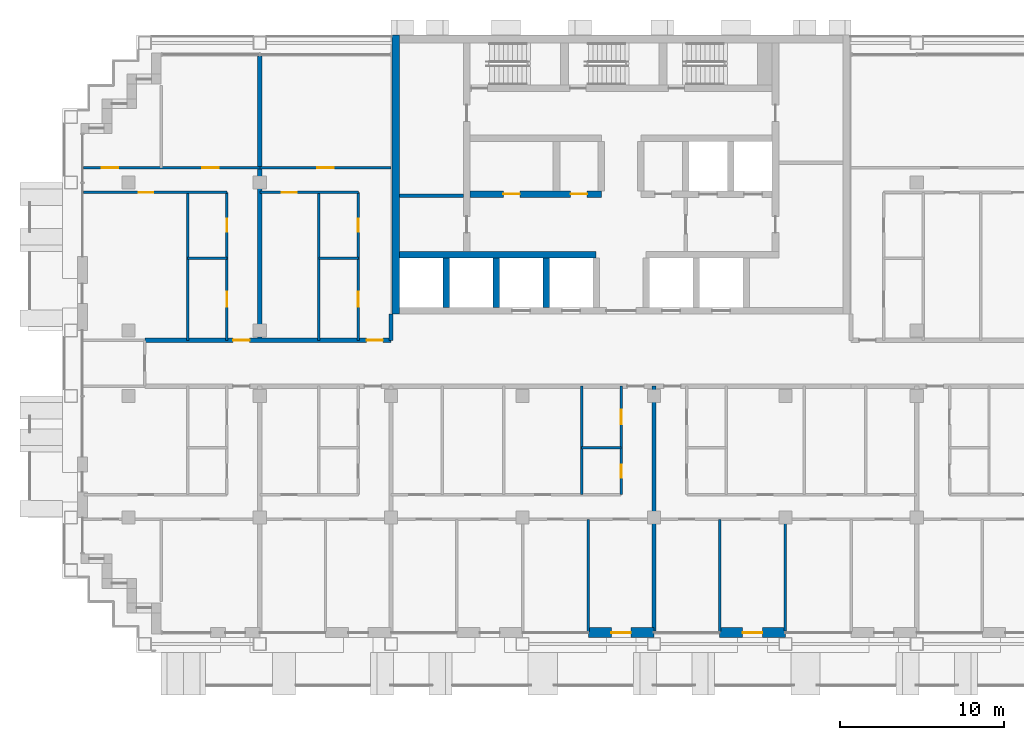
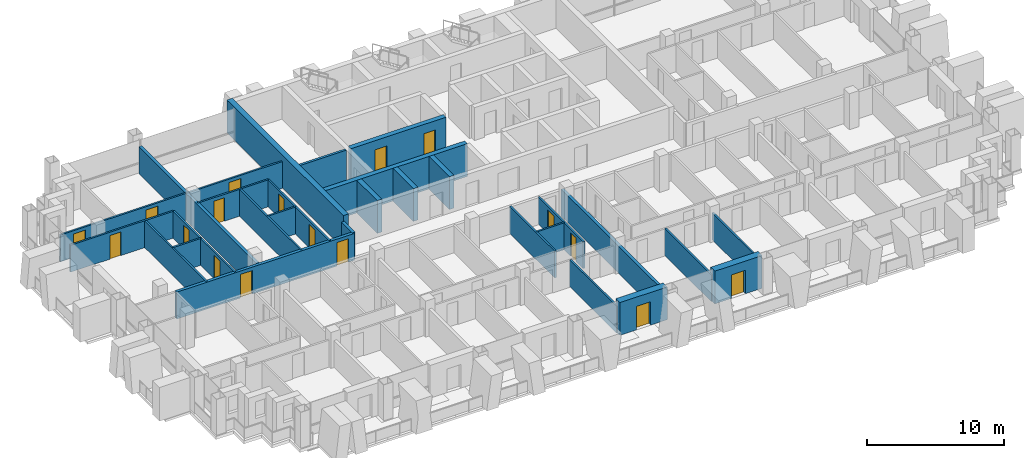
# One storey, part 9 of 17: 29 walls, 17 doors, 17 openings.
"""IFC4 building model written with IfcOpenShell, lengths in metres."""

from ifc_helpers import new_model, si_unit, direction, frame, frame_2d, origin, place, context, subcontext, project, spatial, rectangle, extrude, material, layer, layer_set, type_object, element, fill, save


model = new_model("IFC4")

# Units and contexts
model_context = context("Model", 3, precision=1e-05, world=origin(), true_north=direction((0.0, 1.0)))
body_context = subcontext(model_context, "Body", "Model", "MODEL_VIEW")
ifc_project = project(units=[si_unit("LENGTHUNIT", "METRE"), si_unit("AREAUNIT", "SQUARE_METRE"), si_unit("VOLUMEUNIT", "CUBIC_METRE"), si_unit("PLANEANGLEUNIT", "RADIAN"), si_unit("MASSUNIT", "GRAM", prefix="KILO")], contexts=[model_context])

# Site, building, storey
site_placement = place(None, origin())
site = spatial("IfcSite", under=ifc_project, at=site_placement, CompositionType="ELEMENT")
building_placement = place(site_placement, origin())
building = spatial("IfcBuilding", under=site, at=building_placement, Name="Vidyagriha Tower", CompositionType="ELEMENT")
storey_placement = place(building_placement, frame((0.0, 0.0, 119.800048828125)))
storey = spatial("IfcBuildingStorey", under=building, at=storey_placement, Name="L30", CompositionType="ELEMENT", Elevation=119.800048828125)

# Wall, opening, door
ifc_material_1 = material(Name="Precast concrete C40/50 with brick facing", Category="concrete")
ifc_layer_1 = layer(ifc_material_1, 0.60009765625)
ifc_layer_set_1 = layer_set([ifc_layer_1], Name="Precast concrete C40/50 with brick facing")
wall_type_1 = type_object("IfcWallType", Name="Brick-faced precast wall 600", PredefinedType="STANDARD", material=ifc_layer_set_1)
wall_1_placement = place(storey_placement, frame((-2.0, -16.39990234375, 0.0)))
wall_1 = element("IfcWall", 1, at=wall_1_placement, inside=storey, type_object=wall_type_1, Name="Brick door bay wall L30 R23.8", PredefinedType="STANDARD", context=body_context, shape_type="SweptSolid", body=[
    extrude(rectangle(XDim=4.0, YDim=0.60009765625, at=frame_2d((2.0, 0.0))), origin(), (0.0, 0.0, 1.0), 2.919921875),
])
opening_1_placement = place(wall_1_placement, frame((1.39990234375, 0.0, 0.0)))
opening_1 = element("IfcOpeningElement", 2, at=opening_1_placement, cuts=wall_1, Name="Opening D30-79", PredefinedType="OPENING", context=body_context, shape_type="SweptSolid", body=[
    extrude(rectangle(XDim=1.199951171875, YDim=2.10009765625, at=frame_2d((0.60009765625, 1.050048828125))), frame((0.0, 0.31005859375, 0.0), z_axis=(0.0, -1.0, 0.0), x_axis=(1.0, 0.0, 0.0)), (0.0, 0.0, 1.0), 0.6201171875),
])
ifc_material_2 = material(Name="Aluminium framed glazed sliding door", Category="aluminium")
door_type_1 = type_object("IfcDoorType", Name="Balcony sliding door 1200x2100", OperationType="NOTDEFINED", PredefinedType="DOOR", material=ifc_material_2)
door_1_placement = place(opening_1_placement, origin())
door_1 = element("IfcDoor", 3, at=door_1_placement, inside=storey, type_object=door_type_1, Name="Door D30-79", OperationType="SLIDING_TO_LEFT", OverallHeight=2.10009765625, OverallWidth=1.199951171875, PredefinedType="DOOR", context=body_context, shape_type="SweptSolid", body=[
    extrude(rectangle(XDim=1.199951171875, YDim=2.10009765625, at=frame_2d((0.60009765625, 1.050048828125))), frame((0.0, 0.02490234375, 0.0), z_axis=(0.0, -1.0, 0.0), x_axis=(1.0, 0.0, 0.0)), (0.0, 0.0, 1.0), 0.050048828125),
])
fill(opening_1, door_1)

wall_2_placement = place(storey_placement, frame((6.0, -16.39990234375, 0.0)))
wall_2 = element("IfcWall", 4, at=wall_2_placement, inside=storey, type_object=wall_type_1, Name="Brick door bay wall L30 R23.10", PredefinedType="STANDARD", context=body_context, shape_type="SweptSolid", body=[
    extrude(rectangle(XDim=4.0, YDim=0.60009765625, at=frame_2d((2.0, 0.0))), origin(), (0.0, 0.0, 1.0), 2.919921875),
])
opening_2_placement = place(wall_2_placement, frame((1.39990234375, 0.0, 0.0)))
opening_2 = element("IfcOpeningElement", 5, at=opening_2_placement, cuts=wall_2, Name="Opening D30-80", PredefinedType="OPENING", context=body_context, shape_type="SweptSolid", body=[
    extrude(rectangle(XDim=1.199951171875, YDim=2.10009765625, at=frame_2d((0.60009765625, 1.050048828125))), frame((0.0, 0.31005859375, 0.0), z_axis=(0.0, -1.0, 0.0), x_axis=(1.0, 0.0, 0.0)), (0.0, 0.0, 1.0), 0.6201171875),
])
door_2_placement = place(opening_2_placement, origin())
door_2 = element("IfcDoor", 6, at=door_2_placement, inside=storey, type_object=door_type_1, Name="Door D30-80", OperationType="SLIDING_TO_LEFT", OverallHeight=2.10009765625, OverallWidth=1.199951171875, PredefinedType="DOOR", context=body_context, shape_type="SweptSolid", body=[
    extrude(rectangle(XDim=1.199951171875, YDim=2.10009765625, at=frame_2d((0.60009765625, 1.050048828125))), frame((0.0, 0.02490234375, 0.0), z_axis=(0.0, -1.0, 0.0), x_axis=(1.0, 0.0, 0.0)), (0.0, 0.0, 1.0), 0.050048828125),
])
fill(opening_2, door_2)

# Walls
ifc_material_3 = material(Name="Concrete C60/75", Category="concrete")
ifc_layer_2 = layer(ifc_material_3, 0.39990234375)
ifc_layer_set_2 = layer_set([ifc_layer_2], Name="Concrete C60/75")
wall_type_2 = type_object("IfcWallType", Name="Core shear wall 400 mm", PredefinedType="SHEAR", material=ifc_layer_set_2)
wall_3_placement = place(storey_placement, frame((-13.5, 6.60009765625, 0.0)))
element("IfcWall", 7, at=wall_3_placement, inside=storey, type_object=wall_type_2, Name="Core lobby south wall west", PredefinedType="SHEAR", context=body_context, shape_type="SweptSolid", body=[
    extrude(rectangle(XDim=11.977783203125, YDim=0.39990234375, at=frame_2d((5.98876953125, 0.0))), origin(), (0.0, 0.0, 1.0), 2.919921875),
])
for number, where, z_axis, x_axis, name in (
    (8, (-10.655517578125, 3.39990234375, 0.0), (0.0, 0.0, 1.0), (0.0, 1.0, 0.0), "Core bay wall S1"),
    (9, (-7.611083984375, 3.39990234375, 0.0), (0.0, 0.0, 1.0), (0.0, 1.0, 0.0), "Core bay wall S2"),
    (10, (-4.566650390625, 3.39990234375, 0.0), (0.0, 0.0, 1.0), (0.0, 1.0, 0.0), "Core bay wall S3"),
):
    element("IfcWall", number, at=place(storey_placement, frame(where, z_axis=z_axis, x_axis=x_axis)), inside=storey, type_object=wall_type_2, Name=name, PredefinedType="SHEAR", context=body_context, shape_type="SweptSolid", body=[
        extrude(rectangle(XDim=3.0, YDim=0.39990234375, at=frame_2d((1.5, 0.0))), origin(), (0.0, 0.0, 1.0), 2.919921875),
    ])

# Wall, openings, doors
wall_4_placement = place(storey_placement, frame((-9.199951171875, 10.300048828125, 0.0)))
wall_4 = element("IfcWall", 11, at=wall_4_placement, inside=storey, type_object=wall_type_2, Name="Core row N front wall", PredefinedType="SHEAR", context=body_context, shape_type="SweptSolid", body=[
    extrude(rectangle(XDim=8.0, YDim=0.39990234375, at=frame_2d((4.0, 0.0))), origin(), (0.0, 0.0, 1.0), 2.919921875),
])
opening_3_placement = place(wall_4_placement, frame((2.033203125, 0.0, 0.0)))
opening_3 = element("IfcOpeningElement", 12, at=opening_3_placement, cuts=wall_4, Name="Opening D30-02", PredefinedType="OPENING", context=body_context, shape_type="SweptSolid", body=[
    extrude(rectangle(XDim=1.0, YDim=2.10009765625, at=frame_2d((0.5, 1.050048828125))), frame((0.0, 0.2099609375, 0.0), z_axis=(0.0, -1.0, 0.0), x_axis=(1.0, 0.0, 0.0)), (0.0, 0.0, 1.0), 0.419921875),
])
opening_4_placement = place(wall_4_placement, frame((6.13330078125, 0.0, 0.0)))
opening_4 = element("IfcOpeningElement", 13, at=opening_4_placement, cuts=wall_4, Name="Opening D30-03", PredefinedType="OPENING", context=body_context, shape_type="SweptSolid", body=[
    extrude(rectangle(XDim=1.0, YDim=2.10009765625, at=frame_2d((0.5, 1.050048828125))), frame((0.0, 0.2099609375, 0.0), z_axis=(0.0, -1.0, 0.0), x_axis=(1.0, 0.0, 0.0)), (0.0, 0.0, 1.0), 0.419921875),
])
ifc_material_4 = material(Name="Hollow metal door leaf")
door_type_2 = type_object("IfcDoorType", Name="Core room door 1000 x 2100 mm EI 60", OperationType="NOTDEFINED", PredefinedType="DOOR", material=ifc_material_4)
door_3_placement = place(opening_3_placement, frame((1.0, 0.0, 0.0), z_axis=(0.0, 0.0, 1.0), x_axis=(-1.0, 0.0, 0.0)))
door_3 = element("IfcDoor", 14, at=door_3_placement, inside=storey, type_object=door_type_2, Name="Door Cleaners Store 30.14", OperationType="SINGLE_SWING_RIGHT", OverallHeight=2.10009765625, OverallWidth=1.0, PredefinedType="DOOR", context=body_context, shape_type="SweptSolid", body=[
    extrude(rectangle(XDim=1.0, YDim=2.10009765625, at=frame_2d((0.5, 1.050048828125))), frame((0.0, 0.02490234375, 0.0), z_axis=(0.0, -1.0, 0.0), x_axis=(1.0, 0.0, 0.0)), (0.0, 0.0, 1.0), 0.050048828125),
])
fill(opening_3, door_3)
door_4_placement = place(opening_4_placement, frame((1.0, 0.0, 0.0), z_axis=(0.0, 0.0, 1.0), x_axis=(-1.0, 0.0, 0.0)))
door_4 = element("IfcDoor", 15, at=door_4_placement, inside=storey, type_object=door_type_2, Name="Door Riser Room 30.15", OperationType="SINGLE_SWING_LEFT", OverallHeight=2.10009765625, OverallWidth=1.0, PredefinedType="DOOR", context=body_context, shape_type="SweptSolid", body=[
    extrude(rectangle(XDim=1.0, YDim=2.10009765625, at=frame_2d((0.5, 1.050048828125))), frame((0.0, 0.02490234375, 0.0), z_axis=(0.0, -1.0, 0.0), x_axis=(1.0, 0.0, 0.0)), (0.0, 0.0, 1.0), 0.050048828125),
])
fill(opening_4, door_4)

# Wall
ifc_material_5 = material(Name="Concrete C60/75", Category="concrete")
ifc_layer_3 = layer(ifc_material_5, 0.449951171875)
ifc_layer_set_3 = layer_set([ifc_layer_3], Name="Concrete C60/75")
wall_type_3 = type_object("IfcWallType", Name="Core shear wall 450 mm", PredefinedType="SHEAR", material=ifc_layer_set_3)
wall_5_placement = place(storey_placement, frame((-13.72509765625, 3.0, 0.0), z_axis=(0.0, 0.0, 1.0), x_axis=(0.0, 1.0, 0.0)))
element("IfcWall", 16, at=wall_5_placement, inside=storey, type_object=wall_type_3, Name="Core west wall", PredefinedType="SHEAR", context=body_context, shape_type="SweptSolid", body=[
    extrude(rectangle(XDim=17.0, YDim=0.449951171875, at=frame_2d((8.5, 0.0))), origin(), (0.0, 0.0, 1.0), 2.919921875),
])

# Wall, openings, doors
ifc_material_6 = material(Name="Fired clay brick masonry", Category="masonry")
ifc_layer_4 = layer(ifc_material_6, 0.25)
ifc_layer_set_4 = layer_set([ifc_layer_4], Name="Fired clay brick masonry")
wall_type_4 = type_object("IfcWallType", Name="Fired clay brick corridor wall 250", PredefinedType="PARTITIONING", material=ifc_layer_set_4)
wall_6_placement = place(storey_placement, frame((-29.0, 1.39990234375, 0.0)))
wall_6 = element("IfcWall", 17, at=wall_6_placement, inside=storey, type_object=wall_type_4, Name="Wall all-L30-w112", PredefinedType="PARTITIONING", context=body_context, shape_type="SweptSolid", body=[
    extrude(rectangle(XDim=15.0, YDim=0.25, at=frame_2d((7.5, 0.0))), origin(), (0.0, 0.0, 1.0), 2.39990234375),
])
opening_5_placement = place(wall_6_placement, frame((5.382080078125, 0.0, 0.0)))
opening_5 = element("IfcOpeningElement", 18, at=opening_5_placement, cuts=wall_6, Name="Opening D30-58", PredefinedType="OPENING", context=body_context, shape_type="SweptSolid", body=[
    extrude(rectangle(XDim=1.0, YDim=2.10009765625, at=frame_2d((0.5, 1.050048828125))), frame((0.0, 0.135009765625, 0.0), z_axis=(0.0, -1.0, 0.0), x_axis=(1.0, 0.0, 0.0)), (0.0, 0.0, 1.0), 0.27001953125),
])
opening_6_placement = place(wall_6_placement, frame((13.5, 0.0, 0.0)))
opening_6 = element("IfcOpeningElement", 19, at=opening_6_placement, cuts=wall_6, Name="Opening D30-63", PredefinedType="OPENING", context=body_context, shape_type="SweptSolid", body=[
    extrude(rectangle(XDim=1.0, YDim=2.10009765625, at=frame_2d((0.5, 1.050048828125))), frame((0.0, 0.135009765625, 0.0), z_axis=(0.0, -1.0, 0.0), x_axis=(1.0, 0.0, 0.0)), (0.0, 0.0, 1.0), 0.27001953125),
])
ifc_material_7 = material(Name="Fire-rated timber door leaf EI 60", Category="wood")
door_type_3 = type_object("IfcDoorType", Name="Flat entrance fire door 1000x2100", OperationType="NOTDEFINED", PredefinedType="DOOR", material=ifc_material_7)
door_5_placement = place(opening_5_placement, origin())
door_5 = element("IfcDoor", 20, at=door_5_placement, inside=storey, type_object=door_type_3, Name="Door D30-58", OperationType="SINGLE_SWING_RIGHT", OverallHeight=2.10009765625, OverallWidth=1.0, PredefinedType="DOOR", context=body_context, shape_type="SweptSolid", body=[
    extrude(rectangle(XDim=1.0, YDim=2.10009765625, at=frame_2d((0.5, 1.050048828125))), frame((0.0, 0.02490234375, 0.0), z_axis=(0.0, -1.0, 0.0), x_axis=(1.0, 0.0, 0.0)), (0.0, 0.0, 1.0), 0.050048828125),
])
fill(opening_5, door_5)
door_6_placement = place(opening_6_placement, origin())
door_6 = element("IfcDoor", 21, at=door_6_placement, inside=storey, type_object=door_type_3, Name="Door D30-63", OperationType="SINGLE_SWING_RIGHT", OverallHeight=2.10009765625, OverallWidth=1.0, PredefinedType="DOOR", context=body_context, shape_type="SweptSolid", body=[
    extrude(rectangle(XDim=1.0, YDim=2.10009765625, at=frame_2d((0.5, 1.050048828125))), frame((0.0, 0.02490234375, 0.0), z_axis=(0.0, -1.0, 0.0), x_axis=(1.0, 0.0, 0.0)), (0.0, 0.0, 1.0), 0.050048828125),
])
fill(opening_6, door_6)

# Walls
wall_7_placement = place(storey_placement, frame((-14.0, 3.0, 0.0), z_axis=(0.0, 0.0, 1.0), x_axis=(0.0, -1.0, 0.0)))
element("IfcWall", 22, at=wall_7_placement, inside=storey, type_object=wall_type_4, Name="Wall all-L30-w137", PredefinedType="PARTITIONING", context=body_context, shape_type="SweptSolid", body=[
    extrude(rectangle(XDim=1.60009765625, YDim=0.25, at=frame_2d((0.800048828125, 0.0))), origin(), (0.0, 0.0, 1.0), 2.39990234375),
])
ifc_material_8 = material(Name="Fired clay brick masonry", Category="masonry")
ifc_layer_5 = layer(ifc_material_8, 0.25)
ifc_layer_set_5 = layer_set([ifc_layer_5], Name="Fired clay brick masonry")
wall_type_5 = type_object("IfcWallType", Name="Fired clay brick demising wall 250", PredefinedType="PARTITIONING", material=ifc_layer_set_5)
wall_8_placement = place(storey_placement, frame((2.0, -1.39990234375, 0.0), z_axis=(0.0, 0.0, 1.0), x_axis=(0.0, -1.0, 0.0)))
element("IfcWall", 23, at=wall_8_placement, inside=storey, type_object=wall_type_5, Name="Wall all-L30-w067", PredefinedType="PARTITIONING", context=body_context, shape_type="SweptSolid", body=[
    extrude(rectangle(XDim=14.91015625, YDim=0.25, at=frame_2d((7.455078125, 0.0))), origin(), (0.0, 0.0, 1.0), 2.39990234375),
])
wall_9_placement = place(storey_placement, frame((-22.0, 18.720947265625, 0.0), z_axis=(0.0, 0.0, 1.0), x_axis=(0.0, -1.0, 0.0)))
element("IfcWall", 24, at=wall_9_placement, inside=storey, type_object=wall_type_5, Name="Wall all-L30-w111", PredefinedType="PARTITIONING", context=body_context, shape_type="SweptSolid", body=[
    extrude(rectangle(XDim=17.321044921875, YDim=0.25, at=frame_2d((8.66064453125, 0.0))), origin(), (0.0, 0.0, 1.0), 2.39990234375),
])
ifc_material_9 = material(Name="Gypsum board partition")
ifc_layer_6 = layer(ifc_material_9, 0.14990234375)
ifc_layer_set_6 = layer_set([ifc_layer_6], Name="Gypsum board partition")
wall_type_6 = type_object("IfcWallType", Name="Gypsum board partition 150", PredefinedType="PARTITIONING", material=ifc_layer_set_6)
wall_10_placement = place(storey_placement, frame((0.0, -5.14990234375, 0.0), z_axis=(0.0, 0.0, 1.0), x_axis=(-1.0, 0.0, 0.0)))
element("IfcWall", 25, at=wall_10_placement, inside=storey, type_object=wall_type_6, Name="Wall all-L30-w029", PredefinedType="PARTITIONING", context=body_context, shape_type="SweptSolid", body=[
    extrude(rectangle(XDim=2.39990234375, YDim=0.14990234375, at=frame_2d((1.199951171875, 0.0))), origin(), (0.0, 0.0, 1.0), 2.39990234375),
])
wall_11_placement = place(storey_placement, frame((-2.39990234375, -8.0, 0.0), z_axis=(0.0, 0.0, 1.0), x_axis=(0.0, 1.0, 0.0)))
element("IfcWall", 26, at=wall_11_placement, inside=storey, type_object=wall_type_6, Name="Wall all-L30-w030", PredefinedType="PARTITIONING", context=body_context, shape_type="SweptSolid", body=[
    extrude(rectangle(XDim=6.60009765625, YDim=0.14990234375, at=frame_2d((3.300048828125, 0.0))), origin(), (0.0, 0.0, 1.0), 2.39990234375),
])
for number, where, z_axis, x_axis, name in (
    (27, (-2.0, -9.5, 0.0), (0.0, 0.0, 1.0), (0.0, -1.0, 0.0), "Wall all-L30-w044"),
    (28, (6.0, -9.5, 0.0), (0.0, 0.0, 1.0), (0.0, -1.0, 0.0), "Wall all-L30-w063"),
):
    element("IfcWall", number, at=place(storey_placement, frame(where, z_axis=z_axis, x_axis=x_axis)), inside=storey, type_object=wall_type_6, Name=name, PredefinedType="PARTITIONING", context=body_context, shape_type="SweptSolid", body=[
        extrude(rectangle(XDim=6.821044921875, YDim=0.14990234375, at=frame_2d((3.41064453125, 0.0))), origin(), (0.0, 0.0, 1.0), 2.39990234375),
    ])
wall_12_placement = place(storey_placement, frame((10.0, -9.5, 0.0), z_axis=(0.0, 0.0, 1.0), x_axis=(0.0, -1.0, 0.0)))
element("IfcWall", 29, at=wall_12_placement, inside=storey, type_object=wall_type_6, Name="Wall all-L30-w064", PredefinedType="PARTITIONING", context=body_context, shape_type="SweptSolid", body=[
    extrude(rectangle(XDim=6.81005859375, YDim=0.14990234375, at=frame_2d((3.405029296875, 0.0))), origin(), (0.0, 0.0, 1.0), 2.39990234375),
])
wall_13_placement = place(storey_placement, frame((-26.39990234375, 6.39990234375, 0.0)))
element("IfcWall", 30, at=wall_13_placement, inside=storey, type_object=wall_type_6, Name="Wall all-L30-w092", PredefinedType="PARTITIONING", context=body_context, shape_type="SweptSolid", body=[
    extrude(rectangle(XDim=2.39990234375, YDim=0.14990234375, at=frame_2d((1.199951171875, 0.0))), origin(), (0.0, 0.0, 1.0), 2.39990234375),
])
wall_14_placement = place(storey_placement, frame((-26.39990234375, 1.39990234375, 0.0), z_axis=(0.0, 0.0, 1.0), x_axis=(0.0, 1.0, 0.0)))
element("IfcWall", 31, at=wall_14_placement, inside=storey, type_object=wall_type_6, Name="Wall all-L30-w093", PredefinedType="PARTITIONING", context=body_context, shape_type="SweptSolid", body=[
    extrude(rectangle(XDim=9.0, YDim=0.14990234375, at=frame_2d((4.5, 0.0))), origin(), (0.0, 0.0, 1.0), 2.39990234375),
])

# Wall, opening, door
wall_15_placement = place(storey_placement, frame((-24.0, 10.39990234375, 0.0), z_axis=(0.0, 0.0, 1.0), x_axis=(-1.0, 0.0, 0.0)))
wall_15 = element("IfcWall", 32, at=wall_15_placement, inside=storey, type_object=wall_type_6, Name="Wall all-L30-w094", PredefinedType="PARTITIONING", context=body_context, shape_type="SweptSolid", body=[
    extrude(rectangle(XDim=8.719970703125, YDim=0.14990234375, at=frame_2d((4.35986328125, 0.0))), origin(), (0.0, 0.0, 1.0), 2.39990234375),
])
opening_7_placement = place(wall_15_placement, frame((4.48193359375, 0.0, 0.0)))
opening_7 = element("IfcOpeningElement", 33, at=opening_7_placement, cuts=wall_15, Name="Opening D30-55", PredefinedType="OPENING", context=body_context, shape_type="SweptSolid", body=[
    extrude(rectangle(XDim=0.89990234375, YDim=2.10009765625, at=frame_2d((0.449951171875, 1.050048828125))), frame((0.0, 0.0849609375, 0.0), z_axis=(0.0, -1.0, 0.0), x_axis=(1.0, 0.0, 0.0)), (0.0, 0.0, 1.0), 0.169921875),
])
ifc_material_10 = material(Name="Timber door leaf", Category="wood")
door_type_4 = type_object("IfcDoorType", Name="Room door 900x2100", OperationType="NOTDEFINED", PredefinedType="DOOR", material=ifc_material_10)
door_7_placement = place(opening_7_placement, origin())
door_7 = element("IfcDoor", 34, at=door_7_placement, inside=storey, type_object=door_type_4, Name="Door D30-55", OperationType="SINGLE_SWING_LEFT", OverallHeight=2.10009765625, OverallWidth=0.89990234375, PredefinedType="DOOR", context=body_context, shape_type="SweptSolid", body=[
    extrude(rectangle(XDim=0.89990234375, YDim=2.10009765625, at=frame_2d((0.449951171875, 1.050048828125))), frame((0.0, 0.02490234375, 0.0), z_axis=(0.0, -1.0, 0.0), x_axis=(1.0, 0.0, 0.0)), (0.0, 0.0, 1.0), 0.050048828125),
])
fill(opening_7, door_7)

# Wall, openings, doors
wall_16_placement = place(storey_placement, frame((-32.719970703125, 11.89990234375, 0.0)))
wall_16 = element("IfcWall", 35, at=wall_16_placement, inside=storey, type_object=wall_type_6, Name="Wall all-L30-w096", PredefinedType="PARTITIONING", context=body_context, shape_type="SweptSolid", body=[
    extrude(rectangle(XDim=10.719970703125, YDim=0.14990234375, at=frame_2d((5.35986328125, 0.0))), origin(), (0.0, 0.0, 1.0), 2.39990234375),
])
opening_8_placement = place(wall_16_placement, frame((1.10205078125, 0.0, 0.0)))
opening_8 = element("IfcOpeningElement", 36, at=opening_8_placement, cuts=wall_16, Name="Opening D30-56", PredefinedType="OPENING", context=body_context, shape_type="SweptSolid", body=[
    extrude(rectangle(XDim=1.0, YDim=2.10009765625, at=frame_2d((0.5, 1.050048828125))), frame((0.0, 0.0849609375, 0.0), z_axis=(0.0, -1.0, 0.0), x_axis=(1.0, 0.0, 0.0)), (0.0, 0.0, 1.0), 0.169921875),
])
opening_9_placement = place(wall_16_placement, frame((7.219970703125, 0.0, 0.0)))
opening_9 = element("IfcOpeningElement", 37, at=opening_9_placement, cuts=wall_16, Name="Opening D30-57", PredefinedType="OPENING", context=body_context, shape_type="SweptSolid", body=[
    extrude(rectangle(XDim=1.0, YDim=2.10009765625, at=frame_2d((0.5, 1.050048828125))), frame((0.0, 0.0849609375, 0.0), z_axis=(0.0, -1.0, 0.0), x_axis=(1.0, 0.0, 0.0)), (0.0, 0.0, 1.0), 0.169921875),
])
ifc_material_11 = material(Name="Timber door leaf", Category="wood")
door_type_5 = type_object("IfcDoorType", Name="Room door 1000x2100", OperationType="NOTDEFINED", PredefinedType="DOOR", material=ifc_material_11)
door_8_placement = place(opening_8_placement, origin())
door_8 = element("IfcDoor", 38, at=door_8_placement, inside=storey, type_object=door_type_5, Name="Door D30-56", OperationType="SINGLE_SWING_LEFT", OverallHeight=2.10009765625, OverallWidth=1.0, PredefinedType="DOOR", context=body_context, shape_type="SweptSolid", body=[
    extrude(rectangle(XDim=1.0, YDim=2.10009765625, at=frame_2d((0.5, 1.050048828125))), frame((0.0, 0.02490234375, 0.0), z_axis=(0.0, -1.0, 0.0), x_axis=(1.0, 0.0, 0.0)), (0.0, 0.0, 1.0), 0.050048828125),
])
fill(opening_8, door_8)
door_9_placement = place(opening_9_placement, origin())
door_9 = element("IfcDoor", 39, at=door_9_placement, inside=storey, type_object=door_type_5, Name="Door D30-57", OperationType="SINGLE_SWING_RIGHT", OverallHeight=2.10009765625, OverallWidth=1.0, PredefinedType="DOOR", context=body_context, shape_type="SweptSolid", body=[
    extrude(rectangle(XDim=1.0, YDim=2.10009765625, at=frame_2d((0.5, 1.050048828125))), frame((0.0, 0.02490234375, 0.0), z_axis=(0.0, -1.0, 0.0), x_axis=(1.0, 0.0, 0.0)), (0.0, 0.0, 1.0), 0.050048828125),
])
fill(opening_9, door_9)

# Walls
wall_17_placement = place(storey_placement, frame((-18.39990234375, 6.39990234375, 0.0)))
element("IfcWall", 40, at=wall_17_placement, inside=storey, type_object=wall_type_6, Name="Wall all-L30-w104", PredefinedType="PARTITIONING", context=body_context, shape_type="SweptSolid", body=[
    extrude(rectangle(XDim=2.39990234375, YDim=0.14990234375, at=frame_2d((1.199951171875, 0.0))), origin(), (0.0, 0.0, 1.0), 2.39990234375),
])
wall_18_placement = place(storey_placement, frame((-18.39990234375, 1.39990234375, 0.0), z_axis=(0.0, 0.0, 1.0), x_axis=(0.0, 1.0, 0.0)))
element("IfcWall", 41, at=wall_18_placement, inside=storey, type_object=wall_type_6, Name="Wall all-L30-w105", PredefinedType="PARTITIONING", context=body_context, shape_type="SweptSolid", body=[
    extrude(rectangle(XDim=9.0, YDim=0.14990234375, at=frame_2d((4.5, 0.0))), origin(), (0.0, 0.0, 1.0), 2.39990234375),
])

# Wall, opening, door
wall_19_placement = place(storey_placement, frame((-16.0, 10.39990234375, 0.0), z_axis=(0.0, 0.0, 1.0), x_axis=(-1.0, 0.0, 0.0)))
wall_19 = element("IfcWall", 42, at=wall_19_placement, inside=storey, type_object=wall_type_6, Name="Wall all-L30-w106", PredefinedType="PARTITIONING", context=body_context, shape_type="SweptSolid", body=[
    extrude(rectangle(XDim=6.0, YDim=0.14990234375, at=frame_2d((3.0, 0.0))), origin(), (0.0, 0.0, 1.0), 2.39990234375),
])
opening_10_placement = place(wall_19_placement, frame((3.75, 0.0, 0.0)))
opening_10 = element("IfcOpeningElement", 43, at=opening_10_placement, cuts=wall_19, Name="Opening D30-61", PredefinedType="OPENING", context=body_context, shape_type="SweptSolid", body=[
    extrude(rectangle(XDim=0.89990234375, YDim=2.10009765625, at=frame_2d((0.449951171875, 1.050048828125))), frame((0.0, 0.0849609375, 0.0), z_axis=(0.0, -1.0, 0.0), x_axis=(1.0, 0.0, 0.0)), (0.0, 0.0, 1.0), 0.169921875),
])
door_10_placement = place(opening_10_placement, origin())
door_10 = element("IfcDoor", 44, at=door_10_placement, inside=storey, type_object=door_type_4, Name="Door D30-61", OperationType="SINGLE_SWING_RIGHT", OverallHeight=2.10009765625, OverallWidth=0.89990234375, PredefinedType="DOOR", context=body_context, shape_type="SweptSolid", body=[
    extrude(rectangle(XDim=0.89990234375, YDim=2.10009765625, at=frame_2d((0.449951171875, 1.050048828125))), frame((0.0, 0.02490234375, 0.0), z_axis=(0.0, -1.0, 0.0), x_axis=(1.0, 0.0, 0.0)), (0.0, 0.0, 1.0), 0.050048828125),
])
fill(opening_10, door_10)

wall_20_placement = place(storey_placement, frame((-22.0, 11.89990234375, 0.0)))
wall_20 = element("IfcWall", 45, at=wall_20_placement, inside=storey, type_object=wall_type_6, Name="Wall all-L30-w108", PredefinedType="PARTITIONING", context=body_context, shape_type="SweptSolid", body=[
    extrude(rectangle(XDim=8.0, YDim=0.14990234375, at=frame_2d((4.0, 0.0))), origin(), (0.0, 0.0, 1.0), 2.39990234375),
])
opening_11_placement = place(wall_20_placement, frame((3.5, 0.0, 0.0)))
opening_11 = element("IfcOpeningElement", 46, at=opening_11_placement, cuts=wall_20, Name="Opening D30-62", PredefinedType="OPENING", context=body_context, shape_type="SweptSolid", body=[
    extrude(rectangle(XDim=1.0, YDim=2.10009765625, at=frame_2d((0.5, 1.050048828125))), frame((0.0, 0.0849609375, 0.0), z_axis=(0.0, -1.0, 0.0), x_axis=(1.0, 0.0, 0.0)), (0.0, 0.0, 1.0), 0.169921875),
])
door_11_placement = place(opening_11_placement, origin())
door_11 = element("IfcDoor", 47, at=door_11_placement, inside=storey, type_object=door_type_5, Name="Door D30-62", OperationType="SINGLE_SWING_RIGHT", OverallHeight=2.10009765625, OverallWidth=1.0, PredefinedType="DOOR", context=body_context, shape_type="SweptSolid", body=[
    extrude(rectangle(XDim=1.0, YDim=2.10009765625, at=frame_2d((0.5, 1.050048828125))), frame((0.0, 0.02490234375, 0.0), z_axis=(0.0, -1.0, 0.0), x_axis=(1.0, 0.0, 0.0)), (0.0, 0.0, 1.0), 0.050048828125),
])
fill(opening_11, door_11)

# Wall, openings, doors
ifc_material_12 = material(Name="Moisture resistant gypsum board partition")
ifc_layer_7 = layer(ifc_material_12, 0.14990234375)
ifc_layer_set_7 = layer_set([ifc_layer_7], Name="Moisture resistant gypsum board partition")
wall_type_7 = type_object("IfcWallType", Name="Gypsum board wet-area partition 150", PredefinedType="PARTITIONING", material=ifc_layer_set_7)
wall_21_placement = place(storey_placement, frame((0.0, -8.0, 0.0), z_axis=(0.0, 0.0, 1.0), x_axis=(0.0, 1.0, 0.0)))
wall_21 = element("IfcWall", 48, at=wall_21_placement, inside=storey, type_object=wall_type_7, Name="Wall all-L30-w026", PredefinedType="PARTITIONING", context=body_context, shape_type="SweptSolid", body=[
    extrude(rectangle(XDim=6.60009765625, YDim=0.14990234375, at=frame_2d((3.300048828125, 0.0))), origin(), (0.0, 0.0, 1.0), 2.39990234375),
])
opening_12_placement = place(wall_21_placement, frame((4.27490234375, 0.0, 0.0)))
opening_12 = element("IfcOpeningElement", 49, at=opening_12_placement, cuts=wall_21, Name="Opening D30-25", PredefinedType="OPENING", context=body_context, shape_type="SweptSolid", body=[
    extrude(rectangle(XDim=0.89990234375, YDim=2.10009765625, at=frame_2d((0.449951171875, 1.050048828125))), frame((0.0, 0.0849609375, 0.0), z_axis=(0.0, -1.0, 0.0), x_axis=(1.0, 0.0, 0.0)), (0.0, 0.0, 1.0), 0.169921875),
])
opening_13_placement = place(wall_21_placement, frame((1.02490234375, 0.0, 0.0)))
opening_13 = element("IfcOpeningElement", 50, at=opening_13_placement, cuts=wall_21, Name="Opening D30-26", PredefinedType="OPENING", context=body_context, shape_type="SweptSolid", body=[
    extrude(rectangle(XDim=0.800048828125, YDim=2.10009765625, at=frame_2d((0.39990234375, 1.050048828125))), frame((0.0, 0.0849609375, 0.0), z_axis=(0.0, -1.0, 0.0), x_axis=(1.0, 0.0, 0.0)), (0.0, 0.0, 1.0), 0.169921875),
])
ifc_material_13 = material(Name="Timber door leaf", Category="wood")
door_type_6 = type_object("IfcDoorType", Name="Bathroom door 800x2100", OperationType="NOTDEFINED", PredefinedType="DOOR", material=ifc_material_13)
door_12_placement = place(opening_13_placement, origin())
door_12 = element("IfcDoor", 51, at=door_12_placement, inside=storey, type_object=door_type_6, Name="Door D30-26", OperationType="SINGLE_SWING_RIGHT", OverallHeight=2.10009765625, OverallWidth=0.800048828125, PredefinedType="DOOR", context=body_context, shape_type="SweptSolid", body=[
    extrude(rectangle(XDim=0.800048828125, YDim=2.10009765625, at=frame_2d((0.39990234375, 1.050048828125))), frame((0.0, 0.02490234375, 0.0), z_axis=(0.0, -1.0, 0.0), x_axis=(1.0, 0.0, 0.0)), (0.0, 0.0, 1.0), 0.050048828125),
])
fill(opening_13, door_12)
ifc_material_14 = material(Name="Timber door leaf", Category="wood")
door_type_7 = type_object("IfcDoorType", Name="Kitchen door 900x2100", OperationType="NOTDEFINED", PredefinedType="DOOR", material=ifc_material_14)
door_13_placement = place(opening_12_placement, origin())
door_13 = element("IfcDoor", 52, at=door_13_placement, inside=storey, type_object=door_type_7, Name="Door D30-25", OperationType="SINGLE_SWING_LEFT", OverallHeight=2.10009765625, OverallWidth=0.89990234375, PredefinedType="DOOR", context=body_context, shape_type="SweptSolid", body=[
    extrude(rectangle(XDim=0.89990234375, YDim=2.10009765625, at=frame_2d((0.449951171875, 1.050048828125))), frame((0.0, 0.02490234375, 0.0), z_axis=(0.0, -1.0, 0.0), x_axis=(1.0, 0.0, 0.0)), (0.0, 0.0, 1.0), 0.050048828125),
])
fill(opening_12, door_13)

wall_22_placement = place(storey_placement, frame((-24.0, 1.39990234375, 0.0), z_axis=(0.0, 0.0, 1.0), x_axis=(0.0, 1.0, 0.0)))
wall_22 = element("IfcWall", 53, at=wall_22_placement, inside=storey, type_object=wall_type_7, Name="Wall all-L30-w089", PredefinedType="PARTITIONING", context=body_context, shape_type="SweptSolid", body=[
    extrude(rectangle(XDim=9.0, YDim=0.14990234375, at=frame_2d((4.5, 0.0))), origin(), (0.0, 0.0, 1.0), 2.39990234375),
])
opening_14_placement = place(wall_22_placement, frame((2.050048828125, 0.0, 0.0)))
opening_14 = element("IfcOpeningElement", 54, at=opening_14_placement, cuts=wall_22, Name="Opening D30-53", PredefinedType="OPENING", context=body_context, shape_type="SweptSolid", body=[
    extrude(rectangle(XDim=0.89990234375, YDim=2.10009765625, at=frame_2d((0.449951171875, 1.050048828125))), frame((0.0, 0.0849609375, 0.0), z_axis=(0.0, -1.0, 0.0), x_axis=(1.0, 0.0, 0.0)), (0.0, 0.0, 1.0), 0.169921875),
])
opening_15_placement = place(wall_22_placement, frame((6.60009765625, 0.0, 0.0)))
opening_15 = element("IfcOpeningElement", 55, at=opening_15_placement, cuts=wall_22, Name="Opening D30-54", PredefinedType="OPENING", context=body_context, shape_type="SweptSolid", body=[
    extrude(rectangle(XDim=0.800048828125, YDim=2.10009765625, at=frame_2d((0.39990234375, 1.050048828125))), frame((0.0, 0.0849609375, 0.0), z_axis=(0.0, -1.0, 0.0), x_axis=(1.0, 0.0, 0.0)), (0.0, 0.0, 1.0), 0.169921875),
])
door_14_placement = place(opening_15_placement, origin())
door_14 = element("IfcDoor", 56, at=door_14_placement, inside=storey, type_object=door_type_6, Name="Door D30-54", OperationType="SINGLE_SWING_RIGHT", OverallHeight=2.10009765625, OverallWidth=0.800048828125, PredefinedType="DOOR", context=body_context, shape_type="SweptSolid", body=[
    extrude(rectangle(XDim=0.800048828125, YDim=2.10009765625, at=frame_2d((0.39990234375, 1.050048828125))), frame((0.0, 0.02490234375, 0.0), z_axis=(0.0, -1.0, 0.0), x_axis=(1.0, 0.0, 0.0)), (0.0, 0.0, 1.0), 0.050048828125),
])
fill(opening_15, door_14)
door_15_placement = place(opening_14_placement, origin())
door_15 = element("IfcDoor", 57, at=door_15_placement, inside=storey, type_object=door_type_7, Name="Door D30-53", OperationType="SINGLE_SWING_LEFT", OverallHeight=2.10009765625, OverallWidth=0.89990234375, PredefinedType="DOOR", context=body_context, shape_type="SweptSolid", body=[
    extrude(rectangle(XDim=0.89990234375, YDim=2.10009765625, at=frame_2d((0.449951171875, 1.050048828125))), frame((0.0, 0.02490234375, 0.0), z_axis=(0.0, -1.0, 0.0), x_axis=(1.0, 0.0, 0.0)), (0.0, 0.0, 1.0), 0.050048828125),
])
fill(opening_14, door_15)

wall_23_placement = place(storey_placement, frame((-16.0, 1.39990234375, 0.0), z_axis=(0.0, 0.0, 1.0), x_axis=(0.0, 1.0, 0.0)))
wall_23 = element("IfcWall", 58, at=wall_23_placement, inside=storey, type_object=wall_type_7, Name="Wall all-L30-w101", PredefinedType="PARTITIONING", context=body_context, shape_type="SweptSolid", body=[
    extrude(rectangle(XDim=9.0, YDim=0.14990234375, at=frame_2d((4.5, 0.0))), origin(), (0.0, 0.0, 1.0), 2.39990234375),
])
opening_16_placement = place(wall_23_placement, frame((2.050048828125, 0.0, 0.0)))
opening_16 = element("IfcOpeningElement", 59, at=opening_16_placement, cuts=wall_23, Name="Opening D30-59", PredefinedType="OPENING", context=body_context, shape_type="SweptSolid", body=[
    extrude(rectangle(XDim=0.89990234375, YDim=2.10009765625, at=frame_2d((0.449951171875, 1.050048828125))), frame((0.0, 0.0849609375, 0.0), z_axis=(0.0, -1.0, 0.0), x_axis=(1.0, 0.0, 0.0)), (0.0, 0.0, 1.0), 0.169921875),
])
opening_17_placement = place(wall_23_placement, frame((6.60009765625, 0.0, 0.0)))
opening_17 = element("IfcOpeningElement", 60, at=opening_17_placement, cuts=wall_23, Name="Opening D30-60", PredefinedType="OPENING", context=body_context, shape_type="SweptSolid", body=[
    extrude(rectangle(XDim=0.800048828125, YDim=2.10009765625, at=frame_2d((0.39990234375, 1.050048828125))), frame((0.0, 0.0849609375, 0.0), z_axis=(0.0, -1.0, 0.0), x_axis=(1.0, 0.0, 0.0)), (0.0, 0.0, 1.0), 0.169921875),
])
door_16_placement = place(opening_17_placement, origin())
door_16 = element("IfcDoor", 61, at=door_16_placement, inside=storey, type_object=door_type_6, Name="Door D30-60", OperationType="SINGLE_SWING_RIGHT", OverallHeight=2.10009765625, OverallWidth=0.800048828125, PredefinedType="DOOR", context=body_context, shape_type="SweptSolid", body=[
    extrude(rectangle(XDim=0.800048828125, YDim=2.10009765625, at=frame_2d((0.39990234375, 1.050048828125))), frame((0.0, 0.02490234375, 0.0), z_axis=(0.0, -1.0, 0.0), x_axis=(1.0, 0.0, 0.0)), (0.0, 0.0, 1.0), 0.050048828125),
])
fill(opening_17, door_16)
door_17_placement = place(opening_16_placement, origin())
door_17 = element("IfcDoor", 62, at=door_17_placement, inside=storey, type_object=door_type_7, Name="Door D30-59", OperationType="SINGLE_SWING_LEFT", OverallHeight=2.10009765625, OverallWidth=0.89990234375, PredefinedType="DOOR", context=body_context, shape_type="SweptSolid", body=[
    extrude(rectangle(XDim=0.89990234375, YDim=2.10009765625, at=frame_2d((0.449951171875, 1.050048828125))), frame((0.0, 0.02490234375, 0.0), z_axis=(0.0, -1.0, 0.0), x_axis=(1.0, 0.0, 0.0)), (0.0, 0.0, 1.0), 0.050048828125),
])
fill(opening_16, door_17)

# Wall
ifc_material_15 = material(Name="Blockwork 15 MPa", Category="masonry")
ifc_layer_8 = layer(ifc_material_15, 0.199951171875)
ifc_layer_set_8 = layer_set([ifc_layer_8], Name="Blockwork 15 MPa")
wall_type_8 = type_object("IfcWallType", Name="Service room partition 200 mm", PredefinedType="PARTITIONING", material=ifc_layer_set_8)
wall_24_placement = place(storey_placement, frame((-13.5, 10.199951171875, 0.0)))
element("IfcWall", 63, at=wall_24_placement, inside=storey, type_object=wall_type_8, Name="Core room partition W1", PredefinedType="PARTITIONING", context=body_context, shape_type="SweptSolid", body=[
    extrude(rectangle(XDim=3.89990234375, YDim=0.199951171875, at=frame_2d((1.949951171875, 0.0))), origin(), (0.0, 0.0, 1.0), 2.919921875),
])

save(model, "model.ifc")
